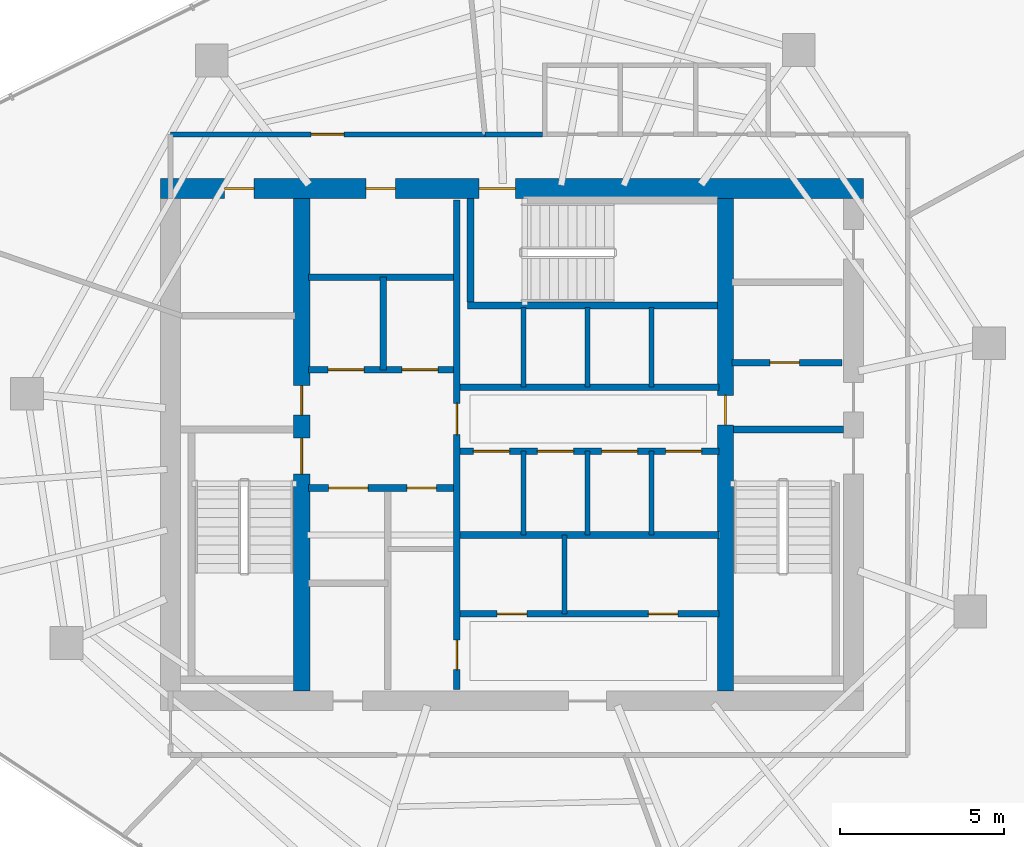
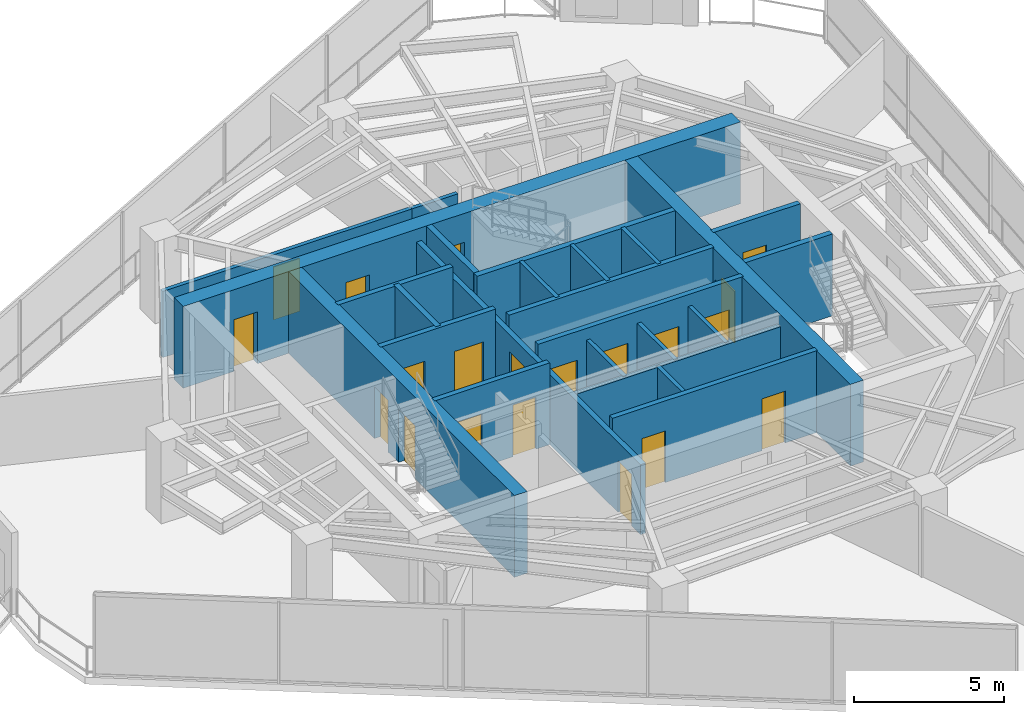
# One storey, part 17 of 21: 25 walls, 20 doors, 20 openings.
"""IFC4 building model written with IfcOpenShell, lengths in metres."""

from ifc_helpers import new_model, si_unit, direction, frame, frame_2d, origin, place, context, subcontext, project, spatial, rectangle, extrude, material, layer, layer_set, type_object, element, fill, save


model = new_model("IFC4")

# Units and contexts
model_context = context("Model", 3, precision=1e-05, world=origin(), true_north=direction((0.0, 1.0)))
body_context = subcontext(model_context, "Body", "Model", "MODEL_VIEW")
ifc_project = project(units=[si_unit("LENGTHUNIT", "METRE"), si_unit("AREAUNIT", "SQUARE_METRE"), si_unit("VOLUMEUNIT", "CUBIC_METRE"), si_unit("PLANEANGLEUNIT", "RADIAN"), si_unit("MASSUNIT", "GRAM", prefix="KILO")], contexts=[model_context])

# Site, building, storey
site_placement = place(None, origin())
site = spatial("IfcSite", under=ifc_project, at=site_placement, CompositionType="ELEMENT")
building_placement = place(site_placement, origin())
building = spatial("IfcBuilding", under=site, at=building_placement, Name="Qarnah Convention Tower", CompositionType="ELEMENT")
storey_placement = place(building_placement, frame((0.0, 0.0, 165.300048828125)))
storey = spatial("IfcBuildingStorey", under=building, at=storey_placement, Name="L44", CompositionType="ELEMENT", Elevation=165.300048828125)

# Wall, openings, doors
ifc_material_1 = material(Name="Concrete C60/75", Category="concrete")
ifc_layer_1 = layer(ifc_material_1, 0.60009765625)
ifc_layer_set_1 = layer_set([ifc_layer_1], Name="Concrete C60/75")
wall_type_1 = type_object("IfcWallType", Name="WL-CORE-600", PredefinedType="SHEAR", material=ifc_layer_set_1)
wall_1_placement = place(storey_placement, frame((26.5, 34.199951171875, 0.0), z_axis=(0.0, 0.0, 1.0), x_axis=(1.0, 0.0, 0.0)))
wall_1 = element("IfcWall", 1, at=wall_1_placement, inside=storey, type_object=wall_type_1, Name="L44 core north shear wall", PredefinedType="SHEAR", context=body_context, shape_type="SweptSolid", body=[
    extrude(rectangle(XDim=21.39990234375, YDim=0.60009765625, at=frame_2d((10.699951171875, 0.0))), origin(), (0.0, 0.0, 1.0), 3.320068359375),
])
opening_1_placement = place(wall_1_placement, frame((9.699951171875, 0.0, 0.0)))
opening_1 = element("IfcOpeningElement", 2, at=opening_1_placement, cuts=wall_1, Name="Opening D-4403", PredefinedType="OPENING", context=body_context, shape_type="SweptSolid", body=[
    extrude(rectangle(XDim=1.10009765625, YDim=2.14990234375, at=frame_2d((0.550048828125, 1.074951171875))), frame((0.0, 0.31005859375, 0.0), z_axis=(0.0, -1.0, 0.0), x_axis=(1.0, 0.0, 0.0)), (0.0, 0.0, 1.0), 0.6201171875),
])
opening_2_placement = place(wall_1_placement, frame((1.949951171875, 0.0, 0.0)))
opening_2 = element("IfcOpeningElement", 3, at=opening_2_placement, cuts=wall_1, Name="Opening D-4409", PredefinedType="OPENING", context=body_context, shape_type="SweptSolid", body=[
    extrude(rectangle(XDim=0.89990234375, YDim=2.10009765625, at=frame_2d((0.449951171875, 1.050048828125))), frame((0.0, 0.31005859375, 0.0), z_axis=(0.0, -1.0, 0.0), x_axis=(1.0, 0.0, 0.0)), (0.0, 0.0, 1.0), 0.6201171875),
])
opening_3_placement = place(wall_1_placement, frame((6.25, 0.0, 0.0)))
opening_3 = element("IfcOpeningElement", 4, at=opening_3_placement, cuts=wall_1, Name="Opening D-4410", PredefinedType="OPENING", context=body_context, shape_type="SweptSolid", body=[
    extrude(rectangle(XDim=0.89990234375, YDim=2.10009765625, at=frame_2d((0.449951171875, 1.050048828125))), frame((0.0, 0.31005859375, 0.0), z_axis=(0.0, -1.0, 0.0), x_axis=(1.0, 0.0, 0.0)), (0.0, 0.0, 1.0), 0.6201171875),
])
ifc_material_2 = material(Name="Structural steel S355JR", Category="steel")
door_type_1 = type_object("IfcDoorType", Name="DT-RISER-900", OperationType="NOTDEFINED", PredefinedType="DOOR", material=ifc_material_2)
door_1_placement = place(opening_2_placement, origin())
door_1 = element("IfcDoor", 5, at=door_1_placement, inside=storey, type_object=door_type_1, Name="Door D-4409", OperationType="SINGLE_SWING_LEFT", OverallHeight=2.10009765625, OverallWidth=0.89990234375, PredefinedType="DOOR", context=body_context, shape_type="SweptSolid", body=[
    extrude(rectangle(XDim=0.89990234375, YDim=2.10009765625, at=frame_2d((0.449951171875, 1.050048828125))), frame((0.0, 0.02490234375, 0.0), z_axis=(0.0, -1.0, 0.0), x_axis=(1.0, 0.0, 0.0)), (0.0, 0.0, 1.0), 0.050048828125),
])
fill(opening_2, door_1)
door_2_placement = place(opening_3_placement, origin())
door_2 = element("IfcDoor", 6, at=door_2_placement, inside=storey, type_object=door_type_1, Name="Door D-4410", OperationType="SINGLE_SWING_RIGHT", OverallHeight=2.10009765625, OverallWidth=0.89990234375, PredefinedType="DOOR", context=body_context, shape_type="SweptSolid", body=[
    extrude(rectangle(XDim=0.89990234375, YDim=2.10009765625, at=frame_2d((0.449951171875, 1.050048828125))), frame((0.0, 0.02490234375, 0.0), z_axis=(0.0, -1.0, 0.0), x_axis=(1.0, 0.0, 0.0)), (0.0, 0.0, 1.0), 0.050048828125),
])
fill(opening_3, door_2)
door_type_2 = type_object("IfcDoorType", Name="DT-STAIR-1100", OperationType="NOTDEFINED", PredefinedType="DOOR", material=ifc_material_2)
door_3_placement = place(opening_1_placement, origin())
door_3 = element("IfcDoor", 7, at=door_3_placement, inside=storey, type_object=door_type_2, Name="Door D-4403", OperationType="SINGLE_SWING_LEFT", OverallHeight=2.14990234375, OverallWidth=1.10009765625, PredefinedType="DOOR", context=body_context, shape_type="SweptSolid", body=[
    extrude(rectangle(XDim=1.10009765625, YDim=2.14990234375, at=frame_2d((0.550048828125, 1.074951171875))), frame((0.0, 0.02490234375, 0.0), z_axis=(0.0, -1.0, 0.0), x_axis=(1.0, 0.0, 0.0)), (0.0, 0.0, 1.0), 0.050048828125),
])
fill(opening_1, door_3)

ifc_layer_2 = layer(ifc_material_1, 0.5)
ifc_layer_set_2 = layer_set([ifc_layer_2], Name="Concrete C60/75")
wall_type_2 = type_object("IfcWallType", Name="WL-CORE-INT-400", PredefinedType="SHEAR", material=ifc_layer_set_2)
wall_2_placement = place(storey_placement, frame((30.800048828125, 18.89990234375, 0.0), z_axis=(0.0, 0.0, 1.0), x_axis=(0.0, 1.0, 0.0)))
wall_2 = element("IfcWall", 8, at=wall_2_placement, inside=storey, type_object=wall_type_2, Name="L44 core west spine shear wall", PredefinedType="SHEAR", context=body_context, shape_type="SweptSolid", body=[
    extrude(rectangle(XDim=15.0, YDim=0.5, at=frame_2d((7.5, 0.0))), origin(), (0.0, 0.0, 1.0), 3.320068359375),
])
opening_4_placement = place(wall_2_placement, frame((6.60009765625, 0.0, 0.0)))
opening_4 = element("IfcOpeningElement", 9, at=opening_4_placement, cuts=wall_2, Name="Opening D-4401", PredefinedType="OPENING", context=body_context, shape_type="SweptSolid", body=[
    extrude(rectangle(XDim=1.10009765625, YDim=2.14990234375, at=frame_2d((0.550048828125, 1.074951171875))), frame((0.0, 0.260009765625, 0.0), z_axis=(0.0, -1.0, 0.0), x_axis=(1.0, 0.0, 0.0)), (0.0, 0.0, 1.0), 0.52001953125),
])
opening_5_placement = place(wall_2_placement, frame((8.39990234375, 0.0, 0.0)))
opening_5 = element("IfcOpeningElement", 10, at=opening_5_placement, cuts=wall_2, Name="Opening D-4408", PredefinedType="OPENING", context=body_context, shape_type="SweptSolid", body=[
    extrude(rectangle(XDim=0.89990234375, YDim=2.10009765625, at=frame_2d((0.449951171875, 1.050048828125))), frame((0.0, 0.260009765625, 0.0), z_axis=(0.0, -1.0, 0.0), x_axis=(1.0, 0.0, 0.0)), (0.0, 0.0, 1.0), 0.52001953125),
])
door_4_placement = place(opening_5_placement, origin())
door_4 = element("IfcDoor", 11, at=door_4_placement, inside=storey, type_object=door_type_1, Name="Door D-4408", OperationType="SINGLE_SWING_RIGHT", OverallHeight=2.10009765625, OverallWidth=0.89990234375, PredefinedType="DOOR", context=body_context, shape_type="SweptSolid", body=[
    extrude(rectangle(XDim=0.89990234375, YDim=2.10009765625, at=frame_2d((0.449951171875, 1.050048828125))), frame((0.0, 0.02490234375, 0.0), z_axis=(0.0, -1.0, 0.0), x_axis=(1.0, 0.0, 0.0)), (0.0, 0.0, 1.0), 0.050048828125),
])
fill(opening_5, door_4)
door_5_placement = place(opening_4_placement, origin())
door_5 = element("IfcDoor", 12, at=door_5_placement, inside=storey, type_object=door_type_2, Name="Door D-4401", OperationType="SINGLE_SWING_LEFT", OverallHeight=2.14990234375, OverallWidth=1.10009765625, PredefinedType="DOOR", context=body_context, shape_type="SweptSolid", body=[
    extrude(rectangle(XDim=1.10009765625, YDim=2.14990234375, at=frame_2d((0.550048828125, 1.074951171875))), frame((0.0, 0.02490234375, 0.0), z_axis=(0.0, -1.0, 0.0), x_axis=(1.0, 0.0, 0.0)), (0.0, 0.0, 1.0), 0.050048828125),
])
fill(opening_4, door_5)

# Wall, opening, door
wall_3_placement = place(storey_placement, frame((43.699951171875, 18.89990234375, 0.0), z_axis=(0.0, 0.0, 1.0), x_axis=(0.0, 1.0, 0.0)))
wall_3 = element("IfcWall", 13, at=wall_3_placement, inside=storey, type_object=wall_type_2, Name="L44 core east spine shear wall", PredefinedType="SHEAR", context=body_context, shape_type="SweptSolid", body=[
    extrude(rectangle(XDim=15.0, YDim=0.5, at=frame_2d((7.5, 0.0))), origin(), (0.0, 0.0, 1.0), 3.320068359375),
])
opening_6_placement = place(wall_3_placement, frame((8.10009765625, 0.0, 0.0)))
opening_6 = element("IfcOpeningElement", 14, at=opening_6_placement, cuts=wall_3, Name="Opening D-4405", PredefinedType="OPENING", context=body_context, shape_type="SweptSolid", body=[
    extrude(rectangle(XDim=0.89990234375, YDim=2.10009765625, at=frame_2d((0.449951171875, 1.050048828125))), frame((0.0, 0.260009765625, 0.0), z_axis=(0.0, -1.0, 0.0), x_axis=(1.0, 0.0, 0.0)), (0.0, 0.0, 1.0), 0.52001953125),
])
door_6_placement = place(opening_6_placement, origin())
door_6 = element("IfcDoor", 15, at=door_6_placement, inside=storey, type_object=door_type_1, Name="Door D-4405", OperationType="SINGLE_SWING_LEFT", OverallHeight=2.10009765625, OverallWidth=0.89990234375, PredefinedType="DOOR", context=body_context, shape_type="SweptSolid", body=[
    extrude(rectangle(XDim=0.89990234375, YDim=2.10009765625, at=frame_2d((0.449951171875, 1.050048828125))), frame((0.0, 0.02490234375, 0.0), z_axis=(0.0, -1.0, 0.0), x_axis=(1.0, 0.0, 0.0)), (0.0, 0.0, 1.0), 0.050048828125),
])
fill(opening_6, door_6)

ifc_material_3 = material(Name="Concrete C45/55", Category="concrete")
ifc_layer_3 = layer(ifc_material_3, 0.199951171875)
ifc_layer_set_3 = layer_set([ifc_layer_3], Name="Concrete C45/55")
wall_type_3 = type_object("IfcWallType", Name="WL-CORE-PART-200", PredefinedType="SOLIDWALL", material=ifc_layer_set_3)
wall_4_placement = place(storey_placement, frame((43.89990234375, 28.89990234375, 0.0), z_axis=(0.0, 0.0, 1.0), x_axis=(1.0, 0.0, 0.0)))
wall_4 = element("IfcWall", 16, at=wall_4_placement, inside=storey, type_object=wall_type_3, Name="L44 interior wall IW-L44-EVSTN", PredefinedType="SOLIDWALL", context=body_context, shape_type="SweptSolid", body=[
    extrude(rectangle(XDim=3.35009765625, YDim=0.199951171875, at=frame_2d((1.675048828125, 0.0))), origin(), (0.0, 0.0, 1.0), 3.320068359375),
])
opening_7_placement = place(wall_4_placement, frame((1.14990234375, 0.0, 0.0)))
opening_7 = element("IfcOpeningElement", 17, at=opening_7_placement, cuts=wall_4, Name="Opening D-4411", PredefinedType="OPENING", context=body_context, shape_type="SweptSolid", body=[
    extrude(rectangle(XDim=0.89990234375, YDim=2.10009765625, at=frame_2d((0.449951171875, 1.050048828125))), frame((0.0, 0.10986328125, 0.0), z_axis=(0.0, -1.0, 0.0), x_axis=(1.0, 0.0, 0.0)), (0.0, 0.0, 1.0), 0.219970703125),
])
door_7_placement = place(opening_7_placement, origin())
door_7 = element("IfcDoor", 18, at=door_7_placement, inside=storey, type_object=door_type_1, Name="Door D-4411", OperationType="SINGLE_SWING_LEFT", OverallHeight=2.10009765625, OverallWidth=0.89990234375, PredefinedType="DOOR", context=body_context, shape_type="SweptSolid", body=[
    extrude(rectangle(XDim=0.89990234375, YDim=2.10009765625, at=frame_2d((0.449951171875, 1.050048828125))), frame((0.0, 0.02490234375, 0.0), z_axis=(0.0, -1.0, 0.0), x_axis=(1.0, 0.0, 0.0)), (0.0, 0.0, 1.0), 0.050048828125),
])
fill(opening_7, door_7)

# Wall, openings, doors
wall_5_placement = place(storey_placement, frame((35.52001953125, 18.949951171875, 0.0), z_axis=(0.0, 0.0, 1.0), x_axis=(0.0, 1.0, 0.0)))
wall_5 = element("IfcWall", 19, at=wall_5_placement, inside=storey, type_object=wall_type_3, Name="L44 interior wall IW-L44-CSP", PredefinedType="SOLIDWALL", context=body_context, shape_type="SweptSolid", body=[
    extrude(rectangle(XDim=14.900146484375, YDim=0.199951171875, at=frame_2d((7.4501953125, 0.0))), origin(), (0.0, 0.0, 1.0), 2.841064453125),
])
opening_8_placement = place(wall_5_placement, frame((7.7548828125, 0.0, 0.0)))
opening_8 = element("IfcOpeningElement", 20, at=opening_8_placement, cuts=wall_5, Name="Opening D-4404", PredefinedType="OPENING", context=body_context, shape_type="SweptSolid", body=[
    extrude(rectangle(XDim=0.949951171875, YDim=2.14990234375, at=frame_2d((0.47509765625, 1.074951171875))), frame((0.0, 0.10986328125, 0.0), z_axis=(0.0, -1.0, 0.0), x_axis=(1.0, 0.0, 0.0)), (0.0, 0.0, 1.0), 0.219970703125),
])
opening_9_placement = place(wall_5_placement, frame((0.60009765625, 0.0, 0.0)))
opening_9 = element("IfcOpeningElement", 21, at=opening_9_placement, cuts=wall_5, Name="Opening D-4414", PredefinedType="OPENING", context=body_context, shape_type="SweptSolid", body=[
    extrude(rectangle(XDim=0.89990234375, YDim=2.10009765625, at=frame_2d((0.449951171875, 1.050048828125))), frame((0.0, 0.10986328125, 0.0), z_axis=(0.0, -1.0, 0.0), x_axis=(1.0, 0.0, 0.0)), (0.0, 0.0, 1.0), 0.219970703125),
])
ifc_material_4 = material(Name="Oak timber veneer", Category="wood")
door_type_3 = type_object("IfcDoorType", Name="DT-HOTEL-950", OperationType="NOTDEFINED", PredefinedType="DOOR", material=ifc_material_4)
door_8_placement = place(opening_8_placement, origin())
door_8 = element("IfcDoor", 22, at=door_8_placement, inside=storey, type_object=door_type_3, Name="Door D-4404", OperationType="SINGLE_SWING_RIGHT", OverallHeight=2.14990234375, OverallWidth=0.949951171875, PredefinedType="DOOR", context=body_context, shape_type="SweptSolid", body=[
    extrude(rectangle(XDim=0.949951171875, YDim=2.14990234375, at=frame_2d((0.47509765625, 1.074951171875))), frame((0.0, 0.02490234375, 0.0), z_axis=(0.0, -1.0, 0.0), x_axis=(1.0, 0.0, 0.0)), (0.0, 0.0, 1.0), 0.050048828125),
])
fill(opening_8, door_8)
door_9_placement = place(opening_9_placement, origin())
door_9 = element("IfcDoor", 23, at=door_9_placement, inside=storey, type_object=door_type_1, Name="Door D-4414", OperationType="SINGLE_SWING_RIGHT", OverallHeight=2.10009765625, OverallWidth=0.89990234375, PredefinedType="DOOR", context=body_context, shape_type="SweptSolid", body=[
    extrude(rectangle(XDim=0.89990234375, YDim=2.10009765625, at=frame_2d((0.449951171875, 1.050048828125))), frame((0.0, 0.02490234375, 0.0), z_axis=(0.0, -1.0, 0.0), x_axis=(1.0, 0.0, 0.0)), (0.0, 0.0, 1.0), 0.050048828125),
])
fill(opening_9, door_9)

wall_6_placement = place(storey_placement, frame((31.0, 28.679931640625, 0.0), z_axis=(0.0, 0.0, 1.0), x_axis=(1.0, 0.0, 0.0)))
wall_6 = element("IfcWall", 24, at=wall_6_placement, inside=storey, type_object=wall_type_3, Name="L44 interior wall IW-L44-FFLS", PredefinedType="SOLIDWALL", context=body_context, shape_type="SweptSolid", body=[
    extrude(rectangle(XDim=4.419921875, YDim=0.199951171875, at=frame_2d((2.2099609375, 0.0))), origin(), (0.0, 0.0, 1.0), 3.320068359375),
])
opening_10_placement = place(wall_6_placement, frame((0.60009765625, 0.0, 0.0)))
opening_10 = element("IfcOpeningElement", 25, at=opening_10_placement, cuts=wall_6, Name="Opening LD-4401", PredefinedType="OPENING", context=body_context, shape_type="SweptSolid", body=[
    extrude(rectangle(XDim=1.10009765625, YDim=2.14990234375, at=frame_2d((0.550048828125, 1.074951171875))), frame((0.0, 0.10986328125, 0.0), z_axis=(0.0, -1.0, 0.0), x_axis=(1.0, 0.0, 0.0)), (0.0, 0.0, 1.0), 0.219970703125),
])
opening_11_placement = place(wall_6_placement, frame((2.85009765625, 0.0, 0.0)))
opening_11 = element("IfcOpeningElement", 26, at=opening_11_placement, cuts=wall_6, Name="Opening LD-4402", PredefinedType="OPENING", context=body_context, shape_type="SweptSolid", body=[
    extrude(rectangle(XDim=1.10009765625, YDim=2.14990234375, at=frame_2d((0.550048828125, 1.074951171875))), frame((0.0, 0.10986328125, 0.0), z_axis=(0.0, -1.0, 0.0), x_axis=(1.0, 0.0, 0.0)), (0.0, 0.0, 1.0), 0.219970703125),
])
door_type_4 = type_object("IfcDoorType", Name="DT-LIFT-1100", OperationType="SLIDING_TO_LEFT", PredefinedType="DOOR", material=ifc_material_2)
door_10_placement = place(opening_10_placement, origin())
door_10 = element("IfcDoor", 27, at=door_10_placement, inside=storey, type_object=door_type_4, Name="Door LD-4401", OperationType="SLIDING_TO_LEFT", OverallHeight=2.14990234375, OverallWidth=1.10009765625, PredefinedType="DOOR", context=body_context, shape_type="SweptSolid", body=[
    extrude(rectangle(XDim=1.10009765625, YDim=2.14990234375, at=frame_2d((0.550048828125, 1.074951171875))), frame((0.0, 0.02490234375, 0.0), z_axis=(0.0, -1.0, 0.0), x_axis=(1.0, 0.0, 0.0)), (0.0, 0.0, 1.0), 0.050048828125),
])
fill(opening_10, door_10)
door_11_placement = place(opening_11_placement, origin())
door_11 = element("IfcDoor", 28, at=door_11_placement, inside=storey, type_object=door_type_4, Name="Door LD-4402", OperationType="SLIDING_TO_LEFT", OverallHeight=2.14990234375, OverallWidth=1.10009765625, PredefinedType="DOOR", context=body_context, shape_type="SweptSolid", body=[
    extrude(rectangle(XDim=1.10009765625, YDim=2.14990234375, at=frame_2d((0.550048828125, 1.074951171875))), frame((0.0, 0.02490234375, 0.0), z_axis=(0.0, -1.0, 0.0), x_axis=(1.0, 0.0, 0.0)), (0.0, 0.0, 1.0), 0.050048828125),
])
fill(opening_11, door_11)

# Walls
wall_7_placement = place(storey_placement, frame((31.0, 31.5, 0.0), z_axis=(0.0, 0.0, 1.0), x_axis=(1.0, 0.0, 0.0)))
element("IfcWall", 29, at=wall_7_placement, inside=storey, type_object=wall_type_3, Name="L44 interior wall IW-L44-FFLN", PredefinedType="SOLIDWALL", context=body_context, shape_type="SweptSolid", body=[
    extrude(rectangle(XDim=4.419921875, YDim=0.199951171875, at=frame_2d((2.2099609375, 0.0))), origin(), (0.0, 0.0, 1.0), 3.320068359375),
])
wall_8_placement = place(storey_placement, frame((33.280029296875, 28.679931640625, 0.0), z_axis=(0.0, 0.0, 1.0), x_axis=(0.0, 1.0, 0.0)))
element("IfcWall", 30, at=wall_8_placement, inside=storey, type_object=wall_type_3, Name="L44 interior wall IW-L44-FFLM", PredefinedType="SOLIDWALL", context=body_context, shape_type="SweptSolid", body=[
    extrude(rectangle(XDim=2.820068359375, YDim=0.199951171875, at=frame_2d((1.41015625, 0.0))), origin(), (0.0, 0.0, 1.0), 3.320068359375),
])

# Wall, openings, doors
wall_9_placement = place(storey_placement, frame((31.0, 25.080078125, 0.0), z_axis=(0.0, 0.0, 1.0), x_axis=(1.0, 0.0, 0.0)))
wall_9 = element("IfcWall", 31, at=wall_9_placement, inside=storey, type_object=wall_type_3, Name="L44 interior wall IW-L44-FFLBS", PredefinedType="SOLIDWALL", context=body_context, shape_type="SweptSolid", body=[
    extrude(rectangle(XDim=4.419921875, YDim=0.199951171875, at=frame_2d((2.2099609375, 0.0))), origin(), (0.0, 0.0, 1.0), 3.320068359375),
])
opening_12_placement = place(wall_9_placement, frame((3.0, 0.0, 0.0)))
opening_12 = element("IfcOpeningElement", 32, at=opening_12_placement, cuts=wall_9, Name="Opening D-4415", PredefinedType="OPENING", context=body_context, shape_type="SweptSolid", body=[
    extrude(rectangle(XDim=0.89990234375, YDim=2.10009765625, at=frame_2d((0.449951171875, 1.050048828125))), frame((0.0, 0.10986328125, 0.0), z_axis=(0.0, -1.0, 0.0), x_axis=(1.0, 0.0, 0.0)), (0.0, 0.0, 1.0), 0.219970703125),
])
opening_13_placement = place(wall_9_placement, frame((0.6201171875, 0.0, 0.0)))
opening_13 = element("IfcOpeningElement", 33, at=opening_13_placement, cuts=wall_9, Name="Opening LD-4403", PredefinedType="OPENING", context=body_context, shape_type="SweptSolid", body=[
    extrude(rectangle(XDim=1.199951171875, YDim=2.14990234375, at=frame_2d((0.60009765625, 1.074951171875))), frame((0.0, 0.10986328125, 0.0), z_axis=(0.0, -1.0, 0.0), x_axis=(1.0, 0.0, 0.0)), (0.0, 0.0, 1.0), 0.219970703125),
])
door_type_5 = type_object("IfcDoorType", Name="DT-LIFT-1200", OperationType="SLIDING_TO_LEFT", PredefinedType="DOOR", material=ifc_material_2)
door_12_placement = place(opening_13_placement, origin())
door_12 = element("IfcDoor", 34, at=door_12_placement, inside=storey, type_object=door_type_5, Name="Door LD-4403", OperationType="SLIDING_TO_LEFT", OverallHeight=2.14990234375, OverallWidth=1.199951171875, PredefinedType="DOOR", context=body_context, shape_type="SweptSolid", body=[
    extrude(rectangle(XDim=1.199951171875, YDim=2.14990234375, at=frame_2d((0.60009765625, 1.074951171875))), frame((0.0, 0.02490234375, 0.0), z_axis=(0.0, -1.0, 0.0), x_axis=(1.0, 0.0, 0.0)), (0.0, 0.0, 1.0), 0.050048828125),
])
fill(opening_13, door_12)
door_13_placement = place(opening_12_placement, origin())
door_13 = element("IfcDoor", 35, at=door_13_placement, inside=storey, type_object=door_type_1, Name="Door D-4415", OperationType="SINGLE_SWING_LEFT", OverallHeight=2.10009765625, OverallWidth=0.89990234375, PredefinedType="DOOR", context=body_context, shape_type="SweptSolid", body=[
    extrude(rectangle(XDim=0.89990234375, YDim=2.10009765625, at=frame_2d((0.449951171875, 1.050048828125))), frame((0.0, 0.02490234375, 0.0), z_axis=(0.0, -1.0, 0.0), x_axis=(1.0, 0.0, 0.0)), (0.0, 0.0, 1.0), 0.050048828125),
])
fill(opening_12, door_13)

# Wall
wall_10_placement = place(storey_placement, frame((35.6201171875, 28.14990234375, 0.0), z_axis=(0.0, 0.0, 1.0), x_axis=(1.0, 0.0, 0.0)))
element("IfcWall", 36, at=wall_10_placement, inside=storey, type_object=wall_type_3, Name="L44 interior wall IW-L44-PHS", PredefinedType="SOLIDWALL", context=body_context, shape_type="SweptSolid", body=[
    extrude(rectangle(XDim=7.8798828125, YDim=0.199951171875, at=frame_2d((3.93994140625, 0.0))), origin(), (0.0, 0.0, 1.0), 3.320068359375),
])

# Wall, openings, doors
wall_11_placement = place(storey_placement, frame((35.6201171875, 26.199951171875, 0.0), z_axis=(0.0, 0.0, 1.0), x_axis=(1.0, 0.0, 0.0)))
wall_11 = element("IfcWall", 37, at=wall_11_placement, inside=storey, type_object=wall_type_3, Name="L44 interior wall IW-L44-PMN", PredefinedType="SOLIDWALL", context=body_context, shape_type="SweptSolid", body=[
    extrude(rectangle(XDim=7.8798828125, YDim=0.199951171875, at=frame_2d((3.93994140625, 0.0))), origin(), (0.0, 0.0, 1.0), 3.320068359375),
])
opening_14_placement = place(wall_11_placement, frame((0.405029296875, 0.0, 0.0)))
opening_14 = element("IfcOpeningElement", 38, at=opening_14_placement, cuts=wall_11, Name="Opening LD-4404", PredefinedType="OPENING", context=body_context, shape_type="SweptSolid", body=[
    extrude(rectangle(XDim=1.10009765625, YDim=2.14990234375, at=frame_2d((0.550048828125, 1.074951171875))), frame((0.0, 0.10986328125, 0.0), z_axis=(0.0, -1.0, 0.0), x_axis=(1.0, 0.0, 0.0)), (0.0, 0.0, 1.0), 0.219970703125),
])
opening_15_placement = place(wall_11_placement, frame((2.35498046875, 0.0, 0.0)))
opening_15 = element("IfcOpeningElement", 39, at=opening_15_placement, cuts=wall_11, Name="Opening LD-4405", PredefinedType="OPENING", context=body_context, shape_type="SweptSolid", body=[
    extrude(rectangle(XDim=1.10009765625, YDim=2.14990234375, at=frame_2d((0.550048828125, 1.074951171875))), frame((0.0, 0.10986328125, 0.0), z_axis=(0.0, -1.0, 0.0), x_axis=(1.0, 0.0, 0.0)), (0.0, 0.0, 1.0), 0.219970703125),
])
opening_16_placement = place(wall_11_placement, frame((4.304931640625, 0.0, 0.0)))
opening_16 = element("IfcOpeningElement", 40, at=opening_16_placement, cuts=wall_11, Name="Opening LD-4406", PredefinedType="OPENING", context=body_context, shape_type="SweptSolid", body=[
    extrude(rectangle(XDim=1.10009765625, YDim=2.14990234375, at=frame_2d((0.550048828125, 1.074951171875))), frame((0.0, 0.10986328125, 0.0), z_axis=(0.0, -1.0, 0.0), x_axis=(1.0, 0.0, 0.0)), (0.0, 0.0, 1.0), 0.219970703125),
])
opening_17_placement = place(wall_11_placement, frame((6.2548828125, 0.0, 0.0)))
opening_17 = element("IfcOpeningElement", 41, at=opening_17_placement, cuts=wall_11, Name="Opening LD-4407", PredefinedType="OPENING", context=body_context, shape_type="SweptSolid", body=[
    extrude(rectangle(XDim=1.10009765625, YDim=2.14990234375, at=frame_2d((0.550048828125, 1.074951171875))), frame((0.0, 0.10986328125, 0.0), z_axis=(0.0, -1.0, 0.0), x_axis=(1.0, 0.0, 0.0)), (0.0, 0.0, 1.0), 0.219970703125),
])
door_14_placement = place(opening_14_placement, origin())
door_14 = element("IfcDoor", 42, at=door_14_placement, inside=storey, type_object=door_type_4, Name="Door LD-4404", OperationType="SLIDING_TO_LEFT", OverallHeight=2.14990234375, OverallWidth=1.10009765625, PredefinedType="DOOR", context=body_context, shape_type="SweptSolid", body=[
    extrude(rectangle(XDim=1.10009765625, YDim=2.14990234375, at=frame_2d((0.550048828125, 1.074951171875))), frame((0.0, 0.02490234375, 0.0), z_axis=(0.0, -1.0, 0.0), x_axis=(1.0, 0.0, 0.0)), (0.0, 0.0, 1.0), 0.050048828125),
])
fill(opening_14, door_14)
door_15_placement = place(opening_15_placement, origin())
door_15 = element("IfcDoor", 43, at=door_15_placement, inside=storey, type_object=door_type_4, Name="Door LD-4405", OperationType="SLIDING_TO_LEFT", OverallHeight=2.14990234375, OverallWidth=1.10009765625, PredefinedType="DOOR", context=body_context, shape_type="SweptSolid", body=[
    extrude(rectangle(XDim=1.10009765625, YDim=2.14990234375, at=frame_2d((0.550048828125, 1.074951171875))), frame((0.0, 0.02490234375, 0.0), z_axis=(0.0, -1.0, 0.0), x_axis=(1.0, 0.0, 0.0)), (0.0, 0.0, 1.0), 0.050048828125),
])
fill(opening_15, door_15)
door_16_placement = place(opening_16_placement, origin())
door_16 = element("IfcDoor", 44, at=door_16_placement, inside=storey, type_object=door_type_4, Name="Door LD-4406", OperationType="SLIDING_TO_LEFT", OverallHeight=2.14990234375, OverallWidth=1.10009765625, PredefinedType="DOOR", context=body_context, shape_type="SweptSolid", body=[
    extrude(rectangle(XDim=1.10009765625, YDim=2.14990234375, at=frame_2d((0.550048828125, 1.074951171875))), frame((0.0, 0.02490234375, 0.0), z_axis=(0.0, -1.0, 0.0), x_axis=(1.0, 0.0, 0.0)), (0.0, 0.0, 1.0), 0.050048828125),
])
fill(opening_16, door_16)
door_17_placement = place(opening_17_placement, origin())
door_17 = element("IfcDoor", 45, at=door_17_placement, inside=storey, type_object=door_type_4, Name="Door LD-4407", OperationType="SLIDING_TO_LEFT", OverallHeight=2.14990234375, OverallWidth=1.10009765625, PredefinedType="DOOR", context=body_context, shape_type="SweptSolid", body=[
    extrude(rectangle(XDim=1.10009765625, YDim=2.14990234375, at=frame_2d((0.550048828125, 1.074951171875))), frame((0.0, 0.02490234375, 0.0), z_axis=(0.0, -1.0, 0.0), x_axis=(1.0, 0.0, 0.0)), (0.0, 0.0, 1.0), 0.050048828125),
])
fill(opening_17, door_17)

# Wall
wall_12_placement = place(storey_placement, frame((35.6201171875, 23.64990234375, 0.0), z_axis=(0.0, 0.0, 1.0), x_axis=(1.0, 0.0, 0.0)))
element("IfcWall", 46, at=wall_12_placement, inside=storey, type_object=wall_type_3, Name="L44 interior wall IW-L44-PMPL", PredefinedType="SOLIDWALL", context=body_context, shape_type="SweptSolid", body=[
    extrude(rectangle(XDim=7.8798828125, YDim=0.199951171875, at=frame_2d((3.93994140625, 0.0))), origin(), (0.0, 0.0, 1.0), 2.841064453125),
])

# Wall, openings, doors
wall_13_placement = place(storey_placement, frame((35.6201171875, 21.25, 0.0), z_axis=(0.0, 0.0, 1.0), x_axis=(1.0, 0.0, 0.0)))
wall_13 = element("IfcWall", 47, at=wall_13_placement, inside=storey, type_object=wall_type_3, Name="L44 interior wall IW-L44-PLS", PredefinedType="SOLIDWALL", context=body_context, shape_type="SweptSolid", body=[
    extrude(rectangle(XDim=7.8798828125, YDim=0.199951171875, at=frame_2d((3.93994140625, 0.0))), origin(), (0.0, 0.0, 1.0), 3.320068359375),
])
opening_18_placement = place(wall_13_placement, frame((1.1298828125, 0.0, 0.0)))
opening_18 = element("IfcOpeningElement", 48, at=opening_18_placement, cuts=wall_13, Name="Opening D-4416", PredefinedType="OPENING", context=body_context, shape_type="SweptSolid", body=[
    extrude(rectangle(XDim=0.89990234375, YDim=2.10009765625, at=frame_2d((0.449951171875, 1.050048828125))), frame((0.0, 0.10986328125, 0.0), z_axis=(0.0, -1.0, 0.0), x_axis=(1.0, 0.0, 0.0)), (0.0, 0.0, 1.0), 0.219970703125),
])
opening_19_placement = place(wall_13_placement, frame((5.72998046875, 0.0, 0.0)))
opening_19 = element("IfcOpeningElement", 49, at=opening_19_placement, cuts=wall_13, Name="Opening D-4417", PredefinedType="OPENING", context=body_context, shape_type="SweptSolid", body=[
    extrude(rectangle(XDim=0.89990234375, YDim=2.10009765625, at=frame_2d((0.449951171875, 1.050048828125))), frame((0.0, 0.10986328125, 0.0), z_axis=(0.0, -1.0, 0.0), x_axis=(1.0, 0.0, 0.0)), (0.0, 0.0, 1.0), 0.219970703125),
])
door_18_placement = place(opening_18_placement, origin())
door_18 = element("IfcDoor", 50, at=door_18_placement, inside=storey, type_object=door_type_1, Name="Door D-4416", OperationType="SINGLE_SWING_RIGHT", OverallHeight=2.10009765625, OverallWidth=0.89990234375, PredefinedType="DOOR", context=body_context, shape_type="SweptSolid", body=[
    extrude(rectangle(XDim=0.89990234375, YDim=2.10009765625, at=frame_2d((0.449951171875, 1.050048828125))), frame((0.0, 0.02490234375, 0.0), z_axis=(0.0, -1.0, 0.0), x_axis=(1.0, 0.0, 0.0)), (0.0, 0.0, 1.0), 0.050048828125),
])
fill(opening_18, door_18)
door_19_placement = place(opening_19_placement, origin())
door_19 = element("IfcDoor", 51, at=door_19_placement, inside=storey, type_object=door_type_1, Name="Door D-4417", OperationType="SINGLE_SWING_LEFT", OverallHeight=2.10009765625, OverallWidth=0.89990234375, PredefinedType="DOOR", context=body_context, shape_type="SweptSolid", body=[
    extrude(rectangle(XDim=0.89990234375, YDim=2.10009765625, at=frame_2d((0.449951171875, 1.050048828125))), frame((0.0, 0.02490234375, 0.0), z_axis=(0.0, -1.0, 0.0), x_axis=(1.0, 0.0, 0.0)), (0.0, 0.0, 1.0), 0.050048828125),
])
fill(opening_19, door_19)

# Walls
ifc_layer_4 = layer(ifc_material_1, 0.219970703125)
ifc_layer_set_4 = layer_set([ifc_layer_4], Name="Concrete C60/75")
wall_type_4 = type_object("IfcWallType", Name="WL-CORE-STAIR-220", PredefinedType="SHEAR", material=ifc_layer_set_4)
wall_14_placement = place(storey_placement, frame((43.949951171875, 26.860107421875, 0.0), z_axis=(0.0, 0.0, 1.0), x_axis=(1.0, 0.0, 0.0)))
element("IfcWall", 52, at=wall_14_placement, inside=storey, type_object=wall_type_4, Name="L44 stair shaft shear wall SW-L44-ST2N", PredefinedType="SHEAR", context=body_context, shape_type="SweptSolid", body=[
    extrude(rectangle(XDim=3.35009765625, YDim=0.219970703125, at=frame_2d((1.675048828125, 0.0))), origin(), (0.0, 0.0, 1.0), 3.320068359375),
])
wall_15_placement = place(storey_placement, frame((35.840087890625, 30.639892578125, 0.0), z_axis=(0.0, 0.0, 1.0), x_axis=(1.0, 0.0, 0.0)))
element("IfcWall", 53, at=wall_15_placement, inside=storey, type_object=wall_type_4, Name="L44 stair shaft shear wall SW-L44-ST3S", PredefinedType="SHEAR", context=body_context, shape_type="SweptSolid", body=[
    extrude(rectangle(XDim=7.60986328125, YDim=0.219970703125, at=frame_2d((3.804931640625, 0.0))), origin(), (0.0, 0.0, 1.0), 3.320068359375),
])
wall_16_placement = place(storey_placement, frame((35.93994140625, 30.75, 0.0), z_axis=(0.0, 0.0, 1.0), x_axis=(0.0, 1.0, 0.0)))
element("IfcWall", 54, at=wall_16_placement, inside=storey, type_object=wall_type_4, Name="L44 stair shaft shear wall SW-L44-ST3W", PredefinedType="SHEAR", context=body_context, shape_type="SweptSolid", body=[
    extrude(rectangle(XDim=3.14990234375, YDim=0.219970703125, at=frame_2d((1.574951171875, 0.0))), origin(), (0.0, 0.0, 1.0), 3.320068359375),
])
ifc_material_5 = material(Name="Gypsum partition board")
ifc_layer_5 = layer(ifc_material_5, 0.14990234375)
ifc_layer_set_5 = layer_set([ifc_layer_5], Name="Gypsum partition board")
wall_type_5 = type_object("IfcWallType", Name="WL-SUITE-150", PredefinedType="PARTITIONING", material=ifc_layer_set_5)
for number, where, z_axis, x_axis, name in (
    (55, (37.550048828125, 28.14990234375, 0.0), (0.0, 0.0, 1.0), (0.0, 1.0, 0.0), "L44 interior wall IW-L44-PHD1"),
    (56, (39.5, 28.14990234375, 0.0), (0.0, 0.0, 1.0), (0.0, 1.0, 0.0), "L44 interior wall IW-L44-PHD2"),
    (57, (41.449951171875, 28.14990234375, 0.0), (0.0, 0.0, 1.0), (0.0, 1.0, 0.0), "L44 interior wall IW-L44-PHD3"),
):
    element("IfcWall", number, at=place(storey_placement, frame(where, z_axis=z_axis, x_axis=x_axis)), inside=storey, type_object=wall_type_5, Name=name, PredefinedType="PARTITIONING", context=body_context, shape_type="SweptSolid", body=[
        extrude(rectangle(XDim=2.43017578125, YDim=0.14990234375, at=frame_2d((1.215087890625, 0.0))), origin(), (0.0, 0.0, 1.0), 3.320068359375),
    ])
for number, where, z_axis, x_axis, name in (
    (58, (37.550048828125, 23.64990234375, 0.0), (0.0, 0.0, 1.0), (0.0, 1.0, 0.0), "L44 interior wall IW-L44-PMD1"),
    (59, (39.5, 23.64990234375, 0.0), (0.0, 0.0, 1.0), (0.0, 1.0, 0.0), "L44 interior wall IW-L44-PMD2"),
    (60, (41.449951171875, 23.64990234375, 0.0), (0.0, 0.0, 1.0), (0.0, 1.0, 0.0), "L44 interior wall IW-L44-PMD3"),
):
    element("IfcWall", number, at=place(storey_placement, frame(where, z_axis=z_axis, x_axis=x_axis)), inside=storey, type_object=wall_type_5, Name=name, PredefinedType="PARTITIONING", context=body_context, shape_type="SweptSolid", body=[
        extrude(rectangle(XDim=2.550048828125, YDim=0.14990234375, at=frame_2d((1.27490234375, 0.0))), origin(), (0.0, 0.0, 1.0), 2.841064453125),
    ])
wall_17_placement = place(storey_placement, frame((38.800048828125, 21.25, 0.0), z_axis=(0.0, 0.0, 1.0), x_axis=(0.0, 1.0, 0.0)))
element("IfcWall", 61, at=wall_17_placement, inside=storey, type_object=wall_type_5, Name="L44 interior wall IW-L44-PLFD", PredefinedType="PARTITIONING", context=body_context, shape_type="SweptSolid", body=[
    extrude(rectangle(XDim=2.39990234375, YDim=0.14990234375, at=frame_2d((1.199951171875, 0.0))), origin(), (0.0, 0.0, 1.0), 2.841064453125),
])
wall_18_placement = place(storey_placement, frame((36.373046875, 35.85009765625, 0.0), z_axis=(0.0, 0.0, 1.0), x_axis=(1.0, 0.0, 0.0)))
element("IfcWall", 62, at=wall_18_placement, inside=storey, type_object=wall_type_5, Name="L44 interior wall IW-L44-R-12", PredefinedType="PARTITIONING", context=body_context, shape_type="SweptSolid", body=[
    extrude(rectangle(XDim=1.7568359375, YDim=0.14990234375, at=frame_2d((0.87841796875, 0.0))), origin(), (0.0, 0.0, 1.0), 2.68701171875),
])

# Wall, opening, door
wall_19_placement = place(storey_placement, frame((26.800048828125, 35.85009765625, 0.0), z_axis=(0.0, 0.0, 1.0), x_axis=(1.0, 0.0, 0.0)))
wall_19 = element("IfcWall", 63, at=wall_19_placement, inside=storey, type_object=wall_type_5, Name="L44 interior wall IW-L44-R-19", PredefinedType="PARTITIONING", context=body_context, shape_type="SweptSolid", body=[
    extrude(rectangle(XDim=9.572998046875, YDim=0.14990234375, at=frame_2d((4.78662109375, 0.0))), origin(), (0.0, 0.0, 1.0), 2.68701171875),
])
opening_20_placement = place(wall_19_placement, frame((4.285888671875, 0.0, 0.0)))
opening_20 = element("IfcOpeningElement", 64, at=opening_20_placement, cuts=wall_19, Name="Opening D-4422", PredefinedType="OPENING", context=body_context, shape_type="SweptSolid", body=[
    extrude(rectangle(XDim=1.0, YDim=2.14990234375, at=frame_2d((0.5, 1.074951171875))), frame((0.0, 0.0849609375, 0.0), z_axis=(0.0, -1.0, 0.0), x_axis=(1.0, 0.0, 0.0)), (0.0, 0.0, 1.0), 0.169921875),
])
door_type_6 = type_object("IfcDoorType", Name="DT-OFFICE-1000", OperationType="NOTDEFINED", PredefinedType="DOOR", material=ifc_material_4)
door_20_placement = place(opening_20_placement, origin())
door_20 = element("IfcDoor", 65, at=door_20_placement, inside=storey, type_object=door_type_6, Name="Door D-4422", OperationType="SINGLE_SWING_RIGHT", OverallHeight=2.14990234375, OverallWidth=1.0, PredefinedType="DOOR", context=body_context, shape_type="SweptSolid", body=[
    extrude(rectangle(XDim=1.0, YDim=2.14990234375, at=frame_2d((0.5, 1.074951171875))), frame((0.0, 0.02490234375, 0.0), z_axis=(0.0, -1.0, 0.0), x_axis=(1.0, 0.0, 0.0)), (0.0, 0.0, 1.0), 0.050048828125),
])
fill(opening_20, door_20)

save(model, "model.ifc")
